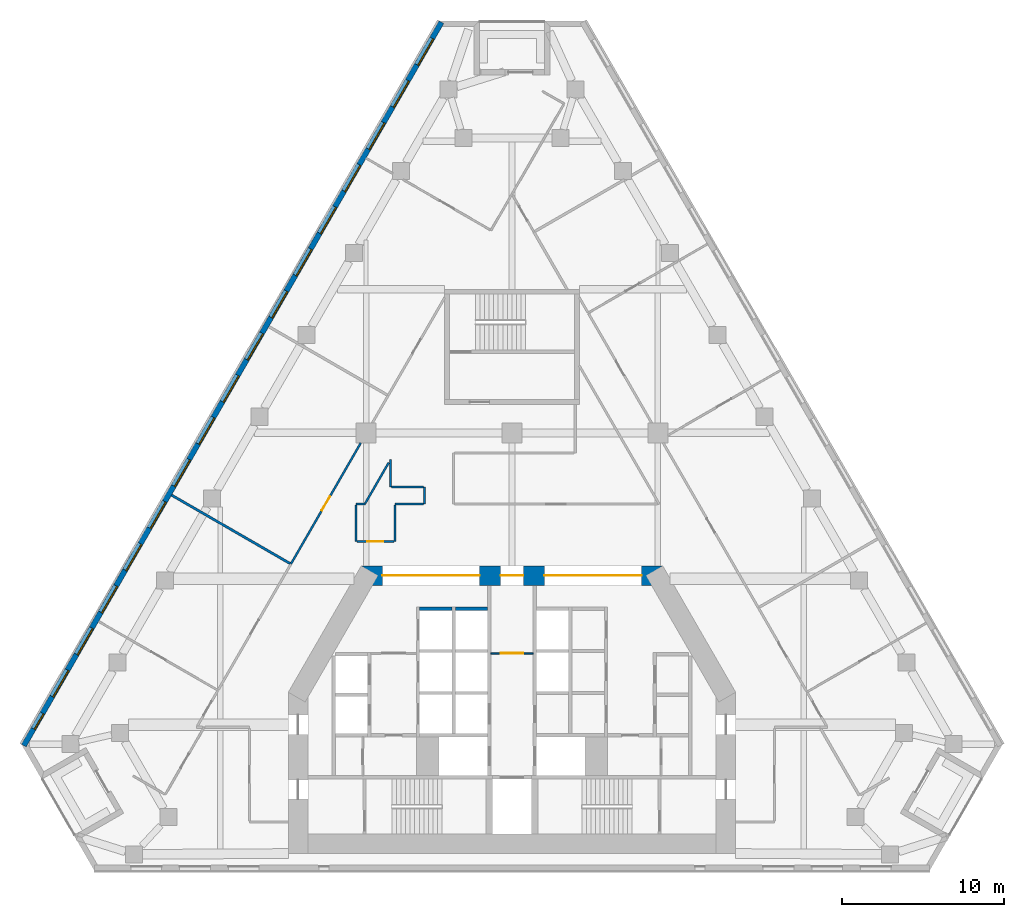
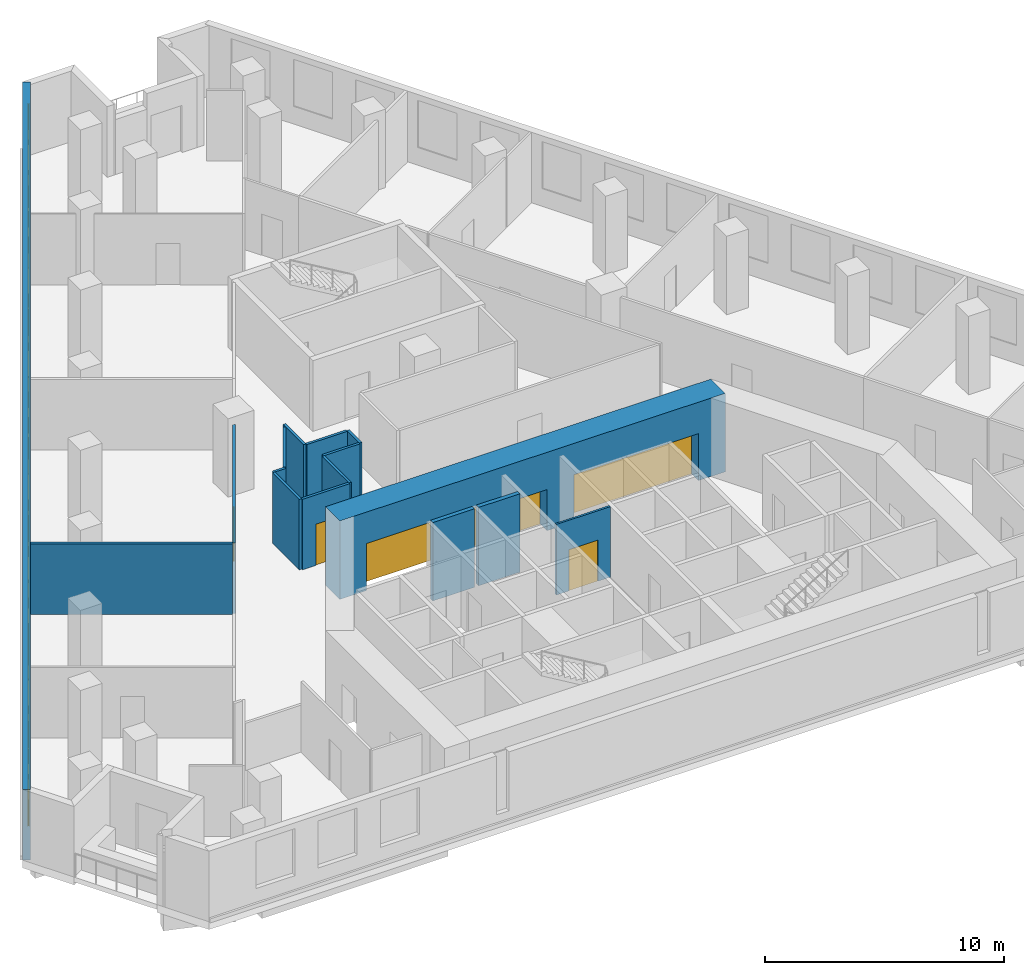
# One storey, part 5 of 10: 17 windows, 16 walls, 6 doors, 23 openings.
"""IFC4 building model written with IfcOpenShell, lengths in metres."""

from ifc_helpers import new_model, si_unit, direction, frame, frame_2d, origin, place, context, subcontext, project, spatial, rectangle, extrude, material, layer, layer_set, type_object, element, fill, save


model = new_model("IFC4")

# Units and contexts
model_context = context("Model", 3, precision=1e-05, world=origin(), true_north=direction((0.0, 1.0)))
body_context = subcontext(model_context, "Body", "Model", "MODEL_VIEW")
ifc_project = project(units=[si_unit("LENGTHUNIT", "METRE"), si_unit("AREAUNIT", "SQUARE_METRE"), si_unit("VOLUMEUNIT", "CUBIC_METRE"), si_unit("PLANEANGLEUNIT", "RADIAN"), si_unit("MASSUNIT", "GRAM", prefix="KILO")], contexts=[model_context])

# Site, building, storey
site_placement = place(None, origin())
site = spatial("IfcSite", under=ifc_project, at=site_placement, CompositionType="ELEMENT")
building_placement = place(site_placement, origin())
building = spatial("IfcBuilding", under=site, at=building_placement, Name="Fogline Exchange Tower", CompositionType="ELEMENT")
storey_placement = place(building_placement, frame((0.0, 0.0, 108.10009765625)))
storey = spatial("IfcBuildingStorey", under=building, at=storey_placement, Name="L23", CompositionType="ELEMENT", Elevation=108.10009765625)

# Wall, opening, door
ifc_material_1 = material(Name="Blockwork partition", Category="masonry")
ifc_layer_1 = layer(ifc_material_1, 0.10009765625)
ifc_layer_set_1 = layer_set([ifc_layer_1], Name="CW10")
wall_type_1 = type_object("IfcWallType", Name="CW10", PredefinedType="PARTITIONING", material=ifc_layer_set_1)
wall_1_placement = place(storey_placement, frame((-1.300048828125, 13.39990234375, 0.0), z_axis=(0.0, 0.0, 1.0), x_axis=(1.0, 0.0, 0.0)))
wall_1 = element("IfcWall", 1, at=wall_1_placement, inside=storey, type_object=wall_type_1, Name="Lift lobby partition", PredefinedType="PARTITIONING", context=body_context, shape_type="SweptSolid", body=[
    extrude(rectangle(XDim=2.60009765625, YDim=0.10009765625, at=frame_2d((1.300048828125, 0.0))), origin(), (0.0, 0.0, 1.0), 3.599853515625),
])
opening_1_placement = place(wall_1_placement, frame((0.60009765625, 0.0, 0.0)))
opening_1 = element("IfcOpeningElement", 2, at=opening_1_placement, cuts=wall_1, Name="Opening T07-C018", PredefinedType="OPENING", context=body_context, shape_type="SweptSolid", body=[
    extrude(rectangle(XDim=1.39990234375, YDim=2.10009765625, at=frame_2d((0.699951171875, 1.050048828125))), frame((0.0, 0.06005859375, 0.0), z_axis=(0.0, -1.0, 0.0), x_axis=(1.0, 0.0, 0.0)), (0.0, 0.0, 1.0), 0.1201171875),
])
ifc_material_2 = material(Name="Steel and timber fire door", Category="steel")
door_type_1 = type_object("IfcDoorType", Name="D-LB1", OperationType="DOUBLE_DOOR_SINGLE_SWING", PredefinedType="DOOR", material=ifc_material_2)
door_1_placement = place(opening_1_placement, origin())
door_1 = element("IfcDoor", 3, at=door_1_placement, inside=storey, type_object=door_type_1, Name="Door to firefighting lift lobby", OperationType="DOUBLE_DOOR_SINGLE_SWING", OverallHeight=2.10009765625, OverallWidth=1.39990234375, PredefinedType="DOOR", context=body_context, shape_type="SweptSolid", body=[
    extrude(rectangle(XDim=1.39990234375, YDim=2.10009765625, at=frame_2d((0.699951171875, 1.050048828125))), frame((0.0, 0.02490234375, 0.0), z_axis=(0.0, -1.0, 0.0), x_axis=(1.0, 0.0, 0.0)), (0.0, 0.0, 1.0), 0.050048828125),
])
fill(opening_1, door_1)

# Walls
ifc_material_3 = material(Name="Concrete C40", Category="concrete")
ifc_layer_2 = layer(ifc_material_3, 0.199951171875)
ifc_layer_set_2 = layer_set([ifc_layer_2], Name="CW20S")
wall_type_2 = type_object("IfcWallType", Name="CW20S", PredefinedType="SOLIDWALL", material=ifc_layer_set_2)
for number, where, z_axis, x_axis, name in (
    (4, (-5.699951171875, 16.14990234375, -0.400146484375), (0.0, 0.0, 1.0), (1.0, 0.0, 0.0), "Lift shaft wall"),
    (5, (-3.5, 16.14990234375, -0.400146484375), (0.0, 0.0, 1.0), (1.0, 0.0, 0.0), "Lift shaft wall"),
):
    element("IfcWall", number, at=place(storey_placement, frame(where, z_axis=z_axis, x_axis=x_axis)), inside=storey, type_object=wall_type_2, Name=name, PredefinedType="SOLIDWALL", context=body_context, shape_type="SweptSolid", body=[
        extrude(rectangle(XDim=2.0, YDim=0.199951171875, at=frame_2d((1.0, 0.0))), origin(), (0.0, 0.0, 1.0), 4.0),
    ])

# Wall, openings, windows
ifc_material_4 = material(Name="Brick masonry", Category="masonry")
ifc_layer_3 = layer(ifc_material_4, 0.340087890625)
ifc_layer_set_3 = layer_set([ifc_layer_3], Name="FW1")
wall_type_3 = type_object("IfcWallType", Name="FW1", PredefinedType="SOLIDWALL", material=ifc_layer_set_3)
wall_2_placement = place(storey_placement, frame((-4.352783203125, 52.336669921875, 0.0), z_axis=(0.0, 0.0, 1.0), x_axis=(-0.49999941333, -0.866025742498, 0.0)))
wall_2 = element("IfcWall", 6, at=wall_2_placement, inside=storey, type_object=wall_type_3, Name="Brick wall L23 W", PredefinedType="SOLIDWALL", context=body_context, shape_type="SweptSolid", body=[
    extrude(rectangle(XDim=51.53125, YDim=0.340087890625, at=frame_2d((25.765625, 0.0))), origin(), (0.0, 0.0, 1.0), 3.599853515625),
])
opening_2_placement = place(wall_2_placement, frame((1.1484375, 0.0, 0.89990234375)))
opening_2 = element("IfcOpeningElement", 7, at=opening_2_placement, cuts=wall_2, Name="Opening W1", PredefinedType="OPENING", context=body_context, shape_type="SweptSolid", body=[
    extrude(rectangle(XDim=1.885009765625, YDim=2.39990234375, at=frame_2d((0.9423828125, 1.199951171875))), frame((0.0, 0.18017578125, 0.0), z_axis=(0.0, -1.0, 0.0), x_axis=(1.0, 0.0, 0.0)), (0.0, 0.0, 1.0), 0.360107421875),
])
opening_3_placement = place(wall_2_placement, frame((4.1484375, 0.0, 0.89990234375)))
opening_3 = element("IfcOpeningElement", 8, at=opening_3_placement, cuts=wall_2, Name="Opening W1", PredefinedType="OPENING", context=body_context, shape_type="SweptSolid", body=[
    extrude(rectangle(XDim=1.885009765625, YDim=2.39990234375, at=frame_2d((0.9423828125, 1.199951171875))), frame((0.0, 0.18017578125, 0.0), z_axis=(0.0, -1.0, 0.0), x_axis=(1.0, 0.0, 0.0)), (0.0, 0.0, 1.0), 0.360107421875),
])
opening_4_placement = place(wall_2_placement, frame((7.1484375, 0.0, 0.89990234375)))
opening_4 = element("IfcOpeningElement", 9, at=opening_4_placement, cuts=wall_2, Name="Opening W1", PredefinedType="OPENING", context=body_context, shape_type="SweptSolid", body=[
    extrude(rectangle(XDim=1.885009765625, YDim=2.39990234375, at=frame_2d((0.9423828125, 1.199951171875))), frame((0.0, 0.18017578125, 0.0), z_axis=(0.0, -1.0, 0.0), x_axis=(1.0, 0.0, 0.0)), (0.0, 0.0, 1.0), 0.360107421875),
])
opening_5_placement = place(wall_2_placement, frame((10.1484375, 0.0, 0.89990234375)))
opening_5 = element("IfcOpeningElement", 10, at=opening_5_placement, cuts=wall_2, Name="Opening W1", PredefinedType="OPENING", context=body_context, shape_type="SweptSolid", body=[
    extrude(rectangle(XDim=1.885009765625, YDim=2.39990234375, at=frame_2d((0.9423828125, 1.199951171875))), frame((0.0, 0.18017578125, 0.0), z_axis=(0.0, -1.0, 0.0), x_axis=(1.0, 0.0, 0.0)), (0.0, 0.0, 1.0), 0.360107421875),
])
opening_6_placement = place(wall_2_placement, frame((13.1484375, 0.0, 0.89990234375)))
opening_6 = element("IfcOpeningElement", 11, at=opening_6_placement, cuts=wall_2, Name="Opening W1", PredefinedType="OPENING", context=body_context, shape_type="SweptSolid", body=[
    extrude(rectangle(XDim=1.885009765625, YDim=2.39990234375, at=frame_2d((0.9423828125, 1.199951171875))), frame((0.0, 0.18017578125, 0.0), z_axis=(0.0, -1.0, 0.0), x_axis=(1.0, 0.0, 0.0)), (0.0, 0.0, 1.0), 0.360107421875),
])
opening_7_placement = place(wall_2_placement, frame((16.1484375, 0.0, 0.89990234375)))
opening_7 = element("IfcOpeningElement", 12, at=opening_7_placement, cuts=wall_2, Name="Opening W1", PredefinedType="OPENING", context=body_context, shape_type="SweptSolid", body=[
    extrude(rectangle(XDim=1.885009765625, YDim=2.39990234375, at=frame_2d((0.9423828125, 1.199951171875))), frame((0.0, 0.18017578125, 0.0), z_axis=(0.0, -1.0, 0.0), x_axis=(1.0, 0.0, 0.0)), (0.0, 0.0, 1.0), 0.360107421875),
])
opening_8_placement = place(wall_2_placement, frame((19.1484375, 0.0, 0.89990234375)))
opening_8 = element("IfcOpeningElement", 13, at=opening_8_placement, cuts=wall_2, Name="Opening W1", PredefinedType="OPENING", context=body_context, shape_type="SweptSolid", body=[
    extrude(rectangle(XDim=1.885009765625, YDim=2.39990234375, at=frame_2d((0.9423828125, 1.199951171875))), frame((0.0, 0.18017578125, 0.0), z_axis=(0.0, -1.0, 0.0), x_axis=(1.0, 0.0, 0.0)), (0.0, 0.0, 1.0), 0.360107421875),
])
opening_9_placement = place(wall_2_placement, frame((22.1484375, 0.0, 0.89990234375)))
opening_9 = element("IfcOpeningElement", 14, at=opening_9_placement, cuts=wall_2, Name="Opening W1", PredefinedType="OPENING", context=body_context, shape_type="SweptSolid", body=[
    extrude(rectangle(XDim=1.885009765625, YDim=2.39990234375, at=frame_2d((0.9423828125, 1.199951171875))), frame((0.0, 0.18017578125, 0.0), z_axis=(0.0, -1.0, 0.0), x_axis=(1.0, 0.0, 0.0)), (0.0, 0.0, 1.0), 0.360107421875),
])
opening_10_placement = place(wall_2_placement, frame((25.1484375, 0.0, 0.89990234375)))
opening_10 = element("IfcOpeningElement", 15, at=opening_10_placement, cuts=wall_2, Name="Opening W1", PredefinedType="OPENING", context=body_context, shape_type="SweptSolid", body=[
    extrude(rectangle(XDim=1.885009765625, YDim=2.39990234375, at=frame_2d((0.9423828125, 1.199951171875))), frame((0.0, 0.18017578125, 0.0), z_axis=(0.0, -1.0, 0.0), x_axis=(1.0, 0.0, 0.0)), (0.0, 0.0, 1.0), 0.360107421875),
])
opening_11_placement = place(wall_2_placement, frame((28.1484375, 0.0, 0.89990234375)))
opening_11 = element("IfcOpeningElement", 16, at=opening_11_placement, cuts=wall_2, Name="Opening W1", PredefinedType="OPENING", context=body_context, shape_type="SweptSolid", body=[
    extrude(rectangle(XDim=1.885009765625, YDim=2.39990234375, at=frame_2d((0.9423828125, 1.199951171875))), frame((0.0, 0.18017578125, 0.0), z_axis=(0.0, -1.0, 0.0), x_axis=(1.0, 0.0, 0.0)), (0.0, 0.0, 1.0), 0.360107421875),
])
opening_12_placement = place(wall_2_placement, frame((31.1484375, 0.0, 0.89990234375)))
opening_12 = element("IfcOpeningElement", 17, at=opening_12_placement, cuts=wall_2, Name="Opening W1", PredefinedType="OPENING", context=body_context, shape_type="SweptSolid", body=[
    extrude(rectangle(XDim=1.885009765625, YDim=2.39990234375, at=frame_2d((0.9423828125, 1.199951171875))), frame((0.0, 0.18017578125, 0.0), z_axis=(0.0, -1.0, 0.0), x_axis=(1.0, 0.0, 0.0)), (0.0, 0.0, 1.0), 0.360107421875),
])
opening_13_placement = place(wall_2_placement, frame((34.1484375, 0.0, 0.89990234375)))
opening_13 = element("IfcOpeningElement", 18, at=opening_13_placement, cuts=wall_2, Name="Opening W1", PredefinedType="OPENING", context=body_context, shape_type="SweptSolid", body=[
    extrude(rectangle(XDim=1.885009765625, YDim=2.39990234375, at=frame_2d((0.9423828125, 1.199951171875))), frame((0.0, 0.18017578125, 0.0), z_axis=(0.0, -1.0, 0.0), x_axis=(1.0, 0.0, 0.0)), (0.0, 0.0, 1.0), 0.360107421875),
])
opening_14_placement = place(wall_2_placement, frame((37.1484375, 0.0, 0.89990234375)))
opening_14 = element("IfcOpeningElement", 19, at=opening_14_placement, cuts=wall_2, Name="Opening W1", PredefinedType="OPENING", context=body_context, shape_type="SweptSolid", body=[
    extrude(rectangle(XDim=1.885009765625, YDim=2.39990234375, at=frame_2d((0.9423828125, 1.199951171875))), frame((0.0, 0.18017578125, 0.0), z_axis=(0.0, -1.0, 0.0), x_axis=(1.0, 0.0, 0.0)), (0.0, 0.0, 1.0), 0.360107421875),
])
opening_15_placement = place(wall_2_placement, frame((40.1484375, 0.0, 0.89990234375)))
opening_15 = element("IfcOpeningElement", 20, at=opening_15_placement, cuts=wall_2, Name="Opening W1", PredefinedType="OPENING", context=body_context, shape_type="SweptSolid", body=[
    extrude(rectangle(XDim=1.885009765625, YDim=2.39990234375, at=frame_2d((0.9423828125, 1.199951171875))), frame((0.0, 0.18017578125, 0.0), z_axis=(0.0, -1.0, 0.0), x_axis=(1.0, 0.0, 0.0)), (0.0, 0.0, 1.0), 0.360107421875),
])
opening_16_placement = place(wall_2_placement, frame((43.1484375, 0.0, 0.89990234375)))
opening_16 = element("IfcOpeningElement", 21, at=opening_16_placement, cuts=wall_2, Name="Opening W1", PredefinedType="OPENING", context=body_context, shape_type="SweptSolid", body=[
    extrude(rectangle(XDim=1.885009765625, YDim=2.39990234375, at=frame_2d((0.9423828125, 1.199951171875))), frame((0.0, 0.18017578125, 0.0), z_axis=(0.0, -1.0, 0.0), x_axis=(1.0, 0.0, 0.0)), (0.0, 0.0, 1.0), 0.360107421875),
])
opening_17_placement = place(wall_2_placement, frame((46.1484375, 0.0, 0.89990234375)))
opening_17 = element("IfcOpeningElement", 22, at=opening_17_placement, cuts=wall_2, Name="Opening W1", PredefinedType="OPENING", context=body_context, shape_type="SweptSolid", body=[
    extrude(rectangle(XDim=1.885009765625, YDim=2.39990234375, at=frame_2d((0.9423828125, 1.199951171875))), frame((0.0, 0.18017578125, 0.0), z_axis=(0.0, -1.0, 0.0), x_axis=(1.0, 0.0, 0.0)), (0.0, 0.0, 1.0), 0.360107421875),
])
opening_18_placement = place(wall_2_placement, frame((49.224853515625, 0.0, 0.89990234375)))
opening_18 = element("IfcOpeningElement", 23, at=opening_18_placement, cuts=wall_2, Name="Opening W4", PredefinedType="OPENING", context=body_context, shape_type="SweptSolid", body=[
    extrude(rectangle(XDim=1.114990234375, YDim=2.39990234375, at=frame_2d((0.5576171875, 1.199951171875))), frame((0.0, 0.18017578125, 0.0), z_axis=(0.0, -1.0, 0.0), x_axis=(1.0, 0.0, 0.0)), (0.0, 0.0, 1.0), 0.360107421875),
])
ifc_material_5 = material(Name="Aluminium and glass", Category="aluminium")
window_type_1 = type_object("IfcWindowType", Name="W1", PartitioningType="SINGLE_PANEL", PredefinedType="WINDOW", material=ifc_material_5)
window_1_placement = place(opening_2_placement, origin())
window_1 = element("IfcWindow", 24, at=window_1_placement, inside=storey, type_object=window_type_1, Name="W1 W1", OverallHeight=2.39990234375, OverallWidth=1.885009765625, PartitioningType="SINGLE_PANEL", PredefinedType="WINDOW", context=body_context, shape_type="SweptSolid", body=[
    extrude(rectangle(XDim=1.885009765625, YDim=2.39990234375, at=frame_2d((0.9423828125, 1.199951171875))), frame((0.0, 0.110107421875, 0.0), z_axis=(0.0, -1.0, 0.0), x_axis=(1.0, 0.0, 0.0)), (0.0, 0.0, 1.0), 0.06005859375),
])
fill(opening_2, window_1)
window_2_placement = place(opening_3_placement, origin())
window_2 = element("IfcWindow", 25, at=window_2_placement, inside=storey, type_object=window_type_1, Name="W1 W1", OverallHeight=2.39990234375, OverallWidth=1.885009765625, PartitioningType="SINGLE_PANEL", PredefinedType="WINDOW", context=body_context, shape_type="SweptSolid", body=[
    extrude(rectangle(XDim=1.885009765625, YDim=2.39990234375, at=frame_2d((0.9423828125, 1.199951171875))), frame((0.0, 0.110107421875, 0.0), z_axis=(0.0, -1.0, 0.0), x_axis=(1.0, 0.0, 0.0)), (0.0, 0.0, 1.0), 0.06005859375),
])
fill(opening_3, window_2)
window_3_placement = place(opening_4_placement, origin())
window_3 = element("IfcWindow", 26, at=window_3_placement, inside=storey, type_object=window_type_1, Name="W1 W1", OverallHeight=2.39990234375, OverallWidth=1.885009765625, PartitioningType="SINGLE_PANEL", PredefinedType="WINDOW", context=body_context, shape_type="SweptSolid", body=[
    extrude(rectangle(XDim=1.885009765625, YDim=2.39990234375, at=frame_2d((0.9423828125, 1.199951171875))), frame((0.0, 0.110107421875, 0.0), z_axis=(0.0, -1.0, 0.0), x_axis=(1.0, 0.0, 0.0)), (0.0, 0.0, 1.0), 0.06005859375),
])
fill(opening_4, window_3)
window_4_placement = place(opening_5_placement, origin())
window_4 = element("IfcWindow", 27, at=window_4_placement, inside=storey, type_object=window_type_1, Name="W1 W1", OverallHeight=2.39990234375, OverallWidth=1.885009765625, PartitioningType="SINGLE_PANEL", PredefinedType="WINDOW", context=body_context, shape_type="SweptSolid", body=[
    extrude(rectangle(XDim=1.885009765625, YDim=2.39990234375, at=frame_2d((0.9423828125, 1.199951171875))), frame((0.0, 0.110107421875, 0.0), z_axis=(0.0, -1.0, 0.0), x_axis=(1.0, 0.0, 0.0)), (0.0, 0.0, 1.0), 0.06005859375),
])
fill(opening_5, window_4)
window_5_placement = place(opening_6_placement, origin())
window_5 = element("IfcWindow", 28, at=window_5_placement, inside=storey, type_object=window_type_1, Name="W1 W1", OverallHeight=2.39990234375, OverallWidth=1.885009765625, PartitioningType="SINGLE_PANEL", PredefinedType="WINDOW", context=body_context, shape_type="SweptSolid", body=[
    extrude(rectangle(XDim=1.885009765625, YDim=2.39990234375, at=frame_2d((0.9423828125, 1.199951171875))), frame((0.0, 0.110107421875, 0.0), z_axis=(0.0, -1.0, 0.0), x_axis=(1.0, 0.0, 0.0)), (0.0, 0.0, 1.0), 0.06005859375),
])
fill(opening_6, window_5)
window_6_placement = place(opening_7_placement, origin())
window_6 = element("IfcWindow", 29, at=window_6_placement, inside=storey, type_object=window_type_1, Name="W1 W1", OverallHeight=2.39990234375, OverallWidth=1.885009765625, PartitioningType="SINGLE_PANEL", PredefinedType="WINDOW", context=body_context, shape_type="SweptSolid", body=[
    extrude(rectangle(XDim=1.885009765625, YDim=2.39990234375, at=frame_2d((0.9423828125, 1.199951171875))), frame((0.0, 0.110107421875, 0.0), z_axis=(0.0, -1.0, 0.0), x_axis=(1.0, 0.0, 0.0)), (0.0, 0.0, 1.0), 0.06005859375),
])
fill(opening_7, window_6)
window_7_placement = place(opening_8_placement, origin())
window_7 = element("IfcWindow", 30, at=window_7_placement, inside=storey, type_object=window_type_1, Name="W1 W1", OverallHeight=2.39990234375, OverallWidth=1.885009765625, PartitioningType="SINGLE_PANEL", PredefinedType="WINDOW", context=body_context, shape_type="SweptSolid", body=[
    extrude(rectangle(XDim=1.885009765625, YDim=2.39990234375, at=frame_2d((0.9423828125, 1.199951171875))), frame((0.0, 0.110107421875, 0.0), z_axis=(0.0, -1.0, 0.0), x_axis=(1.0, 0.0, 0.0)), (0.0, 0.0, 1.0), 0.06005859375),
])
fill(opening_8, window_7)
window_8_placement = place(opening_9_placement, origin())
window_8 = element("IfcWindow", 31, at=window_8_placement, inside=storey, type_object=window_type_1, Name="W1 W1", OverallHeight=2.39990234375, OverallWidth=1.885009765625, PartitioningType="SINGLE_PANEL", PredefinedType="WINDOW", context=body_context, shape_type="SweptSolid", body=[
    extrude(rectangle(XDim=1.885009765625, YDim=2.39990234375, at=frame_2d((0.9423828125, 1.199951171875))), frame((0.0, 0.110107421875, 0.0), z_axis=(0.0, -1.0, 0.0), x_axis=(1.0, 0.0, 0.0)), (0.0, 0.0, 1.0), 0.06005859375),
])
fill(opening_9, window_8)
window_9_placement = place(opening_10_placement, origin())
window_9 = element("IfcWindow", 32, at=window_9_placement, inside=storey, type_object=window_type_1, Name="W1 W1", OverallHeight=2.39990234375, OverallWidth=1.885009765625, PartitioningType="SINGLE_PANEL", PredefinedType="WINDOW", context=body_context, shape_type="SweptSolid", body=[
    extrude(rectangle(XDim=1.885009765625, YDim=2.39990234375, at=frame_2d((0.9423828125, 1.199951171875))), frame((0.0, 0.110107421875, 0.0), z_axis=(0.0, -1.0, 0.0), x_axis=(1.0, 0.0, 0.0)), (0.0, 0.0, 1.0), 0.06005859375),
])
fill(opening_10, window_9)
window_10_placement = place(opening_11_placement, origin())
window_10 = element("IfcWindow", 33, at=window_10_placement, inside=storey, type_object=window_type_1, Name="W1 W1", OverallHeight=2.39990234375, OverallWidth=1.885009765625, PartitioningType="SINGLE_PANEL", PredefinedType="WINDOW", context=body_context, shape_type="SweptSolid", body=[
    extrude(rectangle(XDim=1.885009765625, YDim=2.39990234375, at=frame_2d((0.9423828125, 1.199951171875))), frame((0.0, 0.110107421875, 0.0), z_axis=(0.0, -1.0, 0.0), x_axis=(1.0, 0.0, 0.0)), (0.0, 0.0, 1.0), 0.06005859375),
])
fill(opening_11, window_10)
window_11_placement = place(opening_12_placement, origin())
window_11 = element("IfcWindow", 34, at=window_11_placement, inside=storey, type_object=window_type_1, Name="W1 W1", OverallHeight=2.39990234375, OverallWidth=1.885009765625, PartitioningType="SINGLE_PANEL", PredefinedType="WINDOW", context=body_context, shape_type="SweptSolid", body=[
    extrude(rectangle(XDim=1.885009765625, YDim=2.39990234375, at=frame_2d((0.9423828125, 1.199951171875))), frame((0.0, 0.110107421875, 0.0), z_axis=(0.0, -1.0, 0.0), x_axis=(1.0, 0.0, 0.0)), (0.0, 0.0, 1.0), 0.06005859375),
])
fill(opening_12, window_11)
window_12_placement = place(opening_13_placement, origin())
window_12 = element("IfcWindow", 35, at=window_12_placement, inside=storey, type_object=window_type_1, Name="W1 W1", OverallHeight=2.39990234375, OverallWidth=1.885009765625, PartitioningType="SINGLE_PANEL", PredefinedType="WINDOW", context=body_context, shape_type="SweptSolid", body=[
    extrude(rectangle(XDim=1.885009765625, YDim=2.39990234375, at=frame_2d((0.9423828125, 1.199951171875))), frame((0.0, 0.110107421875, 0.0), z_axis=(0.0, -1.0, 0.0), x_axis=(1.0, 0.0, 0.0)), (0.0, 0.0, 1.0), 0.06005859375),
])
fill(opening_13, window_12)
window_13_placement = place(opening_14_placement, origin())
window_13 = element("IfcWindow", 36, at=window_13_placement, inside=storey, type_object=window_type_1, Name="W1 W1", OverallHeight=2.39990234375, OverallWidth=1.885009765625, PartitioningType="SINGLE_PANEL", PredefinedType="WINDOW", context=body_context, shape_type="SweptSolid", body=[
    extrude(rectangle(XDim=1.885009765625, YDim=2.39990234375, at=frame_2d((0.9423828125, 1.199951171875))), frame((0.0, 0.110107421875, 0.0), z_axis=(0.0, -1.0, 0.0), x_axis=(1.0, 0.0, 0.0)), (0.0, 0.0, 1.0), 0.06005859375),
])
fill(opening_14, window_13)
window_14_placement = place(opening_15_placement, origin())
window_14 = element("IfcWindow", 37, at=window_14_placement, inside=storey, type_object=window_type_1, Name="W1 W1", OverallHeight=2.39990234375, OverallWidth=1.885009765625, PartitioningType="SINGLE_PANEL", PredefinedType="WINDOW", context=body_context, shape_type="SweptSolid", body=[
    extrude(rectangle(XDim=1.885009765625, YDim=2.39990234375, at=frame_2d((0.9423828125, 1.199951171875))), frame((0.0, 0.110107421875, 0.0), z_axis=(0.0, -1.0, 0.0), x_axis=(1.0, 0.0, 0.0)), (0.0, 0.0, 1.0), 0.06005859375),
])
fill(opening_15, window_14)
window_15_placement = place(opening_16_placement, origin())
window_15 = element("IfcWindow", 38, at=window_15_placement, inside=storey, type_object=window_type_1, Name="W1 W1", OverallHeight=2.39990234375, OverallWidth=1.885009765625, PartitioningType="SINGLE_PANEL", PredefinedType="WINDOW", context=body_context, shape_type="SweptSolid", body=[
    extrude(rectangle(XDim=1.885009765625, YDim=2.39990234375, at=frame_2d((0.9423828125, 1.199951171875))), frame((0.0, 0.110107421875, 0.0), z_axis=(0.0, -1.0, 0.0), x_axis=(1.0, 0.0, 0.0)), (0.0, 0.0, 1.0), 0.06005859375),
])
fill(opening_16, window_15)
window_16_placement = place(opening_17_placement, origin())
window_16 = element("IfcWindow", 39, at=window_16_placement, inside=storey, type_object=window_type_1, Name="W1 W1", OverallHeight=2.39990234375, OverallWidth=1.885009765625, PartitioningType="SINGLE_PANEL", PredefinedType="WINDOW", context=body_context, shape_type="SweptSolid", body=[
    extrude(rectangle(XDim=1.885009765625, YDim=2.39990234375, at=frame_2d((0.9423828125, 1.199951171875))), frame((0.0, 0.110107421875, 0.0), z_axis=(0.0, -1.0, 0.0), x_axis=(1.0, 0.0, 0.0)), (0.0, 0.0, 1.0), 0.06005859375),
])
fill(opening_17, window_16)
window_type_2 = type_object("IfcWindowType", Name="W4", PartitioningType="SINGLE_PANEL", PredefinedType="WINDOW", material=ifc_material_5)
window_17_placement = place(opening_18_placement, origin())
window_17 = element("IfcWindow", 40, at=window_17_placement, inside=storey, type_object=window_type_2, Name="W4 W4", OverallHeight=2.39990234375, OverallWidth=1.114990234375, PartitioningType="SINGLE_PANEL", PredefinedType="WINDOW", context=body_context, shape_type="SweptSolid", body=[
    extrude(rectangle(XDim=1.114990234375, YDim=2.39990234375, at=frame_2d((0.5576171875, 1.199951171875))), frame((0.0, 0.110107421875, 0.0), z_axis=(0.0, -1.0, 0.0), x_axis=(1.0, 0.0, 0.0)), (0.0, 0.0, 1.0), 0.06005859375),
])
fill(opening_18, window_17)

# Wall
ifc_material_6 = material(Name="Plasterboard corridor partition with mineral wool, 2 layers each side")
ifc_layer_4 = layer(ifc_material_6, 0.125)
ifc_layer_set_4 = layer_set([ifc_layer_4], Name="PW2")
wall_type_4 = type_object("IfcWallType", Name="PW2", PredefinedType="PARTITIONING", material=ifc_layer_set_4)
wall_3_placement = place(storey_placement, frame((-9.629638671875, 22.53759765625, 0.0), z_axis=(0.0, 0.0, 1.0), x_axis=(0.0, -1.0, 0.0)))
element("IfcWall", 41, at=wall_3_placement, inside=storey, type_object=wall_type_4, Name="wall-L23-W004", PredefinedType="PARTITIONING", context=body_context, shape_type="SweptSolid", body=[
    extrude(rectangle(XDim=2.237548828125, YDim=0.125, at=frame_2d((1.11865234375, 0.0))), origin(), (0.0, 0.0, 1.0), 3.599853515625),
])

# Wall, opening, door
wall_4_placement = place(storey_placement, frame((-9.567138671875, 20.300048828125, 0.0), z_axis=(0.0, 0.0, 1.0), x_axis=(1.0, 0.0, 0.0)))
wall_4 = element("IfcWall", 42, at=wall_4_placement, inside=storey, type_object=wall_type_4, Name="wall-L23-W005", PredefinedType="PARTITIONING", context=body_context, shape_type="SweptSolid", body=[
    extrude(rectangle(XDim=2.275146484375, YDim=0.125, at=frame_2d((1.1376953125, 0.0))), origin(), (0.0, 0.0, 1.0), 3.599853515625),
])
opening_19_placement = place(wall_4_placement, frame((0.637451171875, 0.0, 0.0)))
opening_19 = element("IfcOpeningElement", 43, at=opening_19_placement, cuts=wall_4, Name="Opening T07-D003", PredefinedType="OPENING", context=body_context, shape_type="SweptSolid", body=[
    extrude(rectangle(XDim=1.0, YDim=2.10009765625, at=frame_2d((0.5, 1.050048828125))), frame((0.0, 0.072509765625, 0.0), z_axis=(0.0, -1.0, 0.0), x_axis=(1.0, 0.0, 0.0)), (0.0, 0.0, 1.0), 0.14501953125),
])
ifc_material_7 = material(Name="Fire-rated timber door leaf with steel frame", Category="steel")
door_type_2 = type_object("IfcDoorType", Name="D3", OperationType="SINGLE_SWING_LEFT", PredefinedType="DOOR", material=ifc_material_7)
door_2_placement = place(opening_19_placement, origin())
door_2 = element("IfcDoor", 44, at=door_2_placement, inside=storey, type_object=door_type_2, Name="door-L23-D003", OperationType="SINGLE_SWING_LEFT", OverallHeight=2.10009765625, OverallWidth=1.0, PredefinedType="DOOR", context=body_context, shape_type="SweptSolid", body=[
    extrude(rectangle(XDim=1.0, YDim=2.10009765625, at=frame_2d((0.5, 1.050048828125))), frame((0.0, 0.02490234375, 0.0), z_axis=(0.0, -1.0, 0.0), x_axis=(1.0, 0.0, 0.0)), (0.0, 0.0, 1.0), 0.050048828125),
])
fill(opening_19, door_2)

# Walls
wall_5_placement = place(storey_placement, frame((-7.2294921875, 20.300048828125, 0.0), z_axis=(0.0, 0.0, 1.0), x_axis=(0.0, 1.0, 0.0)))
element("IfcWall", 45, at=wall_5_placement, inside=storey, type_object=wall_type_4, Name="wall-L23-W006", PredefinedType="PARTITIONING", context=body_context, shape_type="SweptSolid", body=[
    extrude(rectangle(XDim=2.237548828125, YDim=0.125, at=frame_2d((1.11865234375, 0.0))), origin(), (0.0, 0.0, 1.0), 3.599853515625),
])
wall_6_placement = place(storey_placement, frame((-7.2294921875, 22.60009765625, 0.0), z_axis=(0.0, 0.0, 1.0), x_axis=(1.0, 0.0, 0.0)))
element("IfcWall", 46, at=wall_6_placement, inside=storey, type_object=wall_type_4, Name="wall-L23-W007", PredefinedType="PARTITIONING", context=body_context, shape_type="SweptSolid", body=[
    extrude(rectangle(XDim=1.76708984375, YDim=0.125, at=frame_2d((0.883544921875, 0.0))), origin(), (0.0, 0.0, 1.0), 3.599853515625),
])

# Wall, opening, door
wall_7_placement = place(storey_placement, frame((-13.639892578125, 18.910888671875, 0.0), z_axis=(0.0, 0.0, 1.0), x_axis=(0.499992993823, 0.866029448765, 0.0)))
wall_7 = element("IfcWall", 47, at=wall_7_placement, inside=storey, type_object=wall_type_4, Name="wall-L23-W011", PredefinedType="PARTITIONING", context=body_context, shape_type="SweptSolid", body=[
    extrude(rectangle(XDim=8.61865234375, YDim=0.125, at=frame_2d((4.309326171875, 0.0))), origin(), (0.0, 0.0, 1.0), 3.599853515625),
])
opening_20_placement = place(wall_7_placement, frame((3.809326171875, 0.0, 0.0)))
opening_20 = element("IfcOpeningElement", 48, at=opening_20_placement, cuts=wall_7, Name="Opening T07-D006", PredefinedType="OPENING", context=body_context, shape_type="SweptSolid", body=[
    extrude(rectangle(XDim=1.0, YDim=2.10009765625, at=frame_2d((0.5, 1.050048828125))), frame((0.0, 0.072509765625, 0.0), z_axis=(0.0, -1.0, 0.0), x_axis=(1.0, 0.0, 0.0)), (0.0, 0.0, 1.0), 0.14501953125),
])
door_3_placement = place(opening_20_placement, origin())
door_3 = element("IfcDoor", 49, at=door_3_placement, inside=storey, type_object=door_type_2, Name="door-L23-D006", OperationType="SINGLE_SWING_LEFT", OverallHeight=2.10009765625, OverallWidth=1.0, PredefinedType="DOOR", context=body_context, shape_type="SweptSolid", body=[
    extrude(rectangle(XDim=1.0, YDim=2.10009765625, at=frame_2d((0.5, 1.050048828125))), frame((0.0, 0.02490234375, 0.0), z_axis=(0.0, -1.0, 0.0), x_axis=(1.0, 0.0, 0.0)), (0.0, 0.0, 1.0), 0.050048828125),
])
fill(opening_20, door_3)

# Walls
wall_8_placement = place(storey_placement, frame((-7.602294921875, 25.16796875, 0.0), z_axis=(0.0, 0.0, 1.0), x_axis=(-0.500077942386, -0.86598039905, 0.0)))
element("IfcWall", 50, at=wall_8_placement, inside=storey, type_object=wall_type_4, Name="wall-L23-W013", PredefinedType="PARTITIONING", context=body_context, shape_type="SweptSolid", body=[
    extrude(rectangle(XDim=2.89306640625, YDim=0.125, at=frame_2d((1.446533203125, 0.0))), origin(), (0.0, 0.0, 1.0), 3.599853515625),
])
wall_9_placement = place(storey_placement, frame((-9.04833984375, 22.60009765625, 0.0), z_axis=(0.0, 0.0, 1.0), x_axis=(-1.0, 0.0, 0.0)))
element("IfcWall", 51, at=wall_9_placement, inside=storey, type_object=wall_type_4, Name="wall-L23-W014", PredefinedType="PARTITIONING", context=body_context, shape_type="SweptSolid", body=[
    extrude(rectangle(XDim=0.581298828125, YDim=0.125, at=frame_2d((0.29052734375, 0.0))), origin(), (0.0, 0.0, 1.0), 3.599853515625),
])
wall_10_placement = place(storey_placement, frame((-7.485595703125, 23.656982421875, 0.0), z_axis=(0.0, 0.0, 1.0), x_axis=(0.0, 1.0, 0.0)))
element("IfcWall", 52, at=wall_10_placement, inside=storey, type_object=wall_type_4, Name="wall-L23-W029", PredefinedType="PARTITIONING", context=body_context, shape_type="SweptSolid", body=[
    extrude(rectangle(XDim=1.71337890625, YDim=0.125, at=frame_2d((0.856689453125, 0.0))), origin(), (0.0, 0.0, 1.0), 3.599853515625),
])
wall_11_placement = place(storey_placement, frame((-5.46240234375, 23.656982421875, 0.0), z_axis=(0.0, 0.0, 1.0), x_axis=(-1.0, 0.0, 0.0)))
element("IfcWall", 53, at=wall_11_placement, inside=storey, type_object=wall_type_4, Name="wall-L23-W030", PredefinedType="PARTITIONING", context=body_context, shape_type="SweptSolid", body=[
    extrude(rectangle(XDim=1.960693359375, YDim=0.125, at=frame_2d((0.98046875, 0.0))), origin(), (0.0, 0.0, 1.0), 3.599853515625),
])
wall_12_placement = place(storey_placement, frame((-5.39990234375, 22.60009765625, 0.0), z_axis=(0.0, 0.0, 1.0), x_axis=(0.0, 1.0, 0.0)))
element("IfcWall", 54, at=wall_12_placement, inside=storey, type_object=wall_type_4, Name="wall-L23-W032", PredefinedType="PARTITIONING", context=body_context, shape_type="SweptSolid", body=[
    extrude(rectangle(XDim=1.056884765625, YDim=0.125, at=frame_2d((0.5283203125, 0.0))), origin(), (0.0, 0.0, 1.0), 3.599853515625),
])
ifc_material_8 = material(Name="Plasterboard demising partition with mineral wool and acoustic board")
ifc_layer_5 = layer(ifc_material_8, 0.14990234375)
ifc_layer_set_5 = layer_set([ifc_layer_5], Name="PW3")
wall_type_5 = type_object("IfcWallType", Name="PW3", PredefinedType="PARTITIONING", material=ifc_layer_set_5)
wall_13_placement = place(storey_placement, frame((-13.69384765625, 18.9423828125, 0.0), z_axis=(0.0, 0.0, 1.0), x_axis=(-0.866039105107, 0.499976267863, 0.0)))
element("IfcWall", 55, at=wall_13_placement, inside=storey, type_object=wall_type_5, Name="wall-L23-W047", PredefinedType="PARTITIONING", context=body_context, shape_type="SweptSolid", body=[
    extrude(rectangle(XDim=8.4375, YDim=0.14990234375, at=frame_2d((4.21875, 0.0))), origin(), (0.0, 0.0, 1.0), 3.599853515625),
])

# Wall, openings, doors
ifc_material_9 = material(Name="Concrete C60", Category="concrete")
ifc_layer_6 = layer(ifc_material_9, 1.199951171875)
ifc_layer_set_6 = layer_set([ifc_layer_6], Name="SW02")
wall_type_6 = type_object("IfcWallType", Name="SW02", PredefinedType="SHEAR", material=ifc_layer_set_6)
wall_14_placement = place(storey_placement, frame((9.296142578125, 18.199951171875, 0.0), z_axis=(0.0, 0.0, 1.0), x_axis=(-1.0, 0.0, 0.0)))
wall_14 = element("IfcWall", 56, at=wall_14_placement, inside=storey, type_object=wall_type_6, Name="L23-W904", PredefinedType="SHEAR", context=body_context, shape_type="SweptSolid", body=[
    extrude(rectangle(XDim=18.59228515625, YDim=1.199951171875, at=frame_2d((9.296142578125, 0.0))), origin(), (0.0, 0.0, 1.0), 4.0),
])
opening_21_placement = place(wall_14_placement, frame((8.59619140625, 0.0, 0.0)))
opening_21 = element("IfcOpeningElement", 57, at=opening_21_placement, cuts=wall_14, Name="Opening T07-C019", PredefinedType="OPENING", context=body_context, shape_type="SweptSolid", body=[
    extrude(rectangle(XDim=1.39990234375, YDim=2.10009765625, at=frame_2d((0.699951171875, 1.050048828125))), frame((0.0, 0.60986328125, 0.0), z_axis=(0.0, -1.0, 0.0), x_axis=(1.0, 0.0, 0.0)), (0.0, 0.0, 1.0), 1.219970703125),
])
opening_22_placement = place(wall_14_placement, frame((11.296142578125, 0.0, 0.0)))
opening_22 = element("IfcOpeningElement", 58, at=opening_22_placement, cuts=wall_14, Name="Opening T07-C020", PredefinedType="OPENING", context=body_context, shape_type="SweptSolid", body=[
    extrude(rectangle(XDim=6.0, YDim=2.39990234375, at=frame_2d((3.0, 1.199951171875))), frame((0.0, 0.60986328125, 0.0), z_axis=(0.0, -1.0, 0.0), x_axis=(1.0, 0.0, 0.0)), (0.0, 0.0, 1.0), 1.219970703125),
])
opening_23_placement = place(wall_14_placement, frame((1.296142578125, 0.0, 0.0)))
opening_23 = element("IfcOpeningElement", 59, at=opening_23_placement, cuts=wall_14, Name="Opening T07-C021", PredefinedType="OPENING", context=body_context, shape_type="SweptSolid", body=[
    extrude(rectangle(XDim=6.0, YDim=2.39990234375, at=frame_2d((3.0, 1.199951171875))), frame((0.0, 0.60986328125, 0.0), z_axis=(0.0, -1.0, 0.0), x_axis=(1.0, 0.0, 0.0)), (0.0, 0.0, 1.0), 1.219970703125),
])
door_4_placement = place(opening_21_placement, origin())
door_4 = element("IfcDoor", 60, at=door_4_placement, inside=storey, type_object=door_type_1, Name="Protected lobby door", OperationType="DOUBLE_DOOR_SINGLE_SWING", OverallHeight=2.10009765625, OverallWidth=1.39990234375, PredefinedType="DOOR", context=body_context, shape_type="SweptSolid", body=[
    extrude(rectangle(XDim=1.39990234375, YDim=2.10009765625, at=frame_2d((0.699951171875, 1.050048828125))), frame((0.0, 0.02490234375, 0.0), z_axis=(0.0, -1.0, 0.0), x_axis=(1.0, 0.0, 0.0)), (0.0, 0.0, 1.0), 0.050048828125),
])
fill(opening_21, door_4)
door_type_3 = type_object("IfcDoorType", Name="D-LE1", OperationType="DOUBLE_DOOR_SLIDING", PredefinedType="DOOR", material=ifc_material_2)
door_5_placement = place(opening_22_placement, origin())
door_5 = element("IfcDoor", 61, at=door_5_placement, inside=storey, type_object=door_type_3, Name="Lift lobby entrance west", OperationType="DOUBLE_DOOR_SLIDING", OverallHeight=2.39990234375, OverallWidth=6.0, PredefinedType="DOOR", context=body_context, shape_type="SweptSolid", body=[
    extrude(rectangle(XDim=6.0, YDim=2.39990234375, at=frame_2d((3.0, 1.199951171875))), frame((0.0, 0.02490234375, 0.0), z_axis=(0.0, -1.0, 0.0), x_axis=(1.0, 0.0, 0.0)), (0.0, 0.0, 1.0), 0.050048828125),
])
fill(opening_22, door_5)
door_6_placement = place(opening_23_placement, origin())
door_6 = element("IfcDoor", 62, at=door_6_placement, inside=storey, type_object=door_type_3, Name="Lift lobby entrance east", OperationType="DOUBLE_DOOR_SLIDING", OverallHeight=2.39990234375, OverallWidth=6.0, PredefinedType="DOOR", context=body_context, shape_type="SweptSolid", body=[
    extrude(rectangle(XDim=6.0, YDim=2.39990234375, at=frame_2d((3.0, 1.199951171875))), frame((0.0, 0.02490234375, 0.0), z_axis=(0.0, -1.0, 0.0), x_axis=(1.0, 0.0, 0.0)), (0.0, 0.0, 1.0), 0.050048828125),
])
fill(opening_23, door_6)

save(model, "model.ifc")
